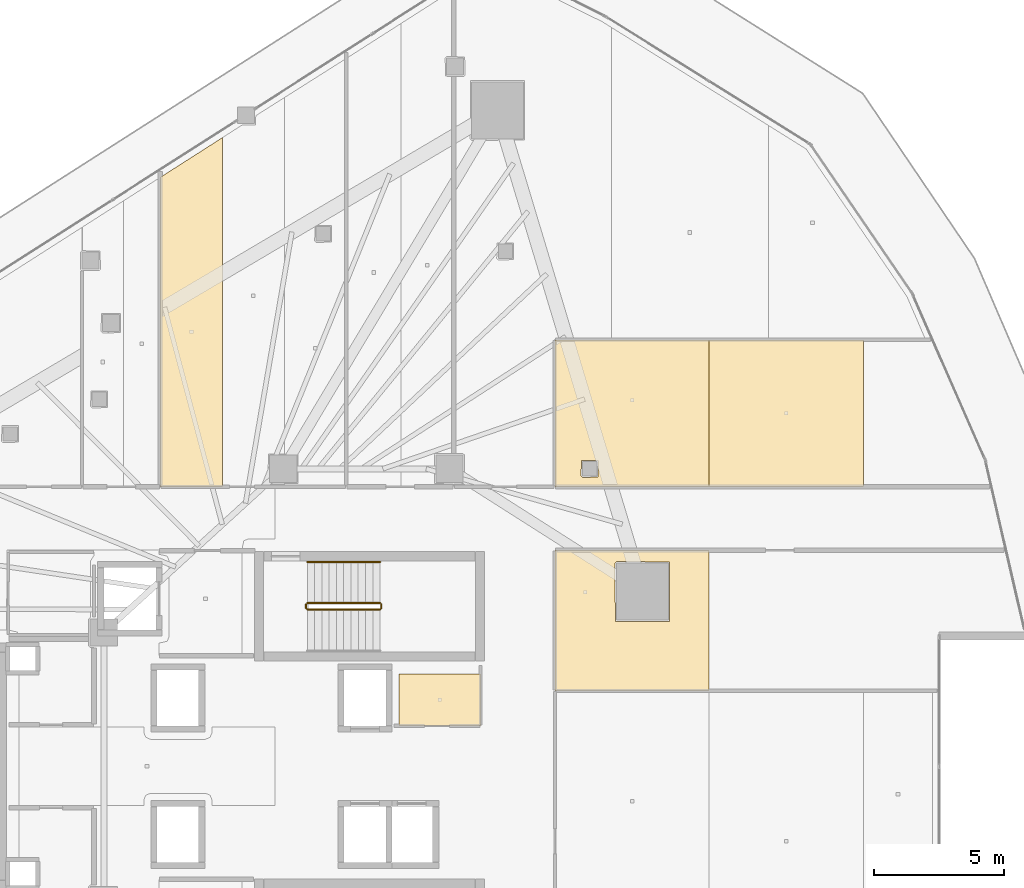
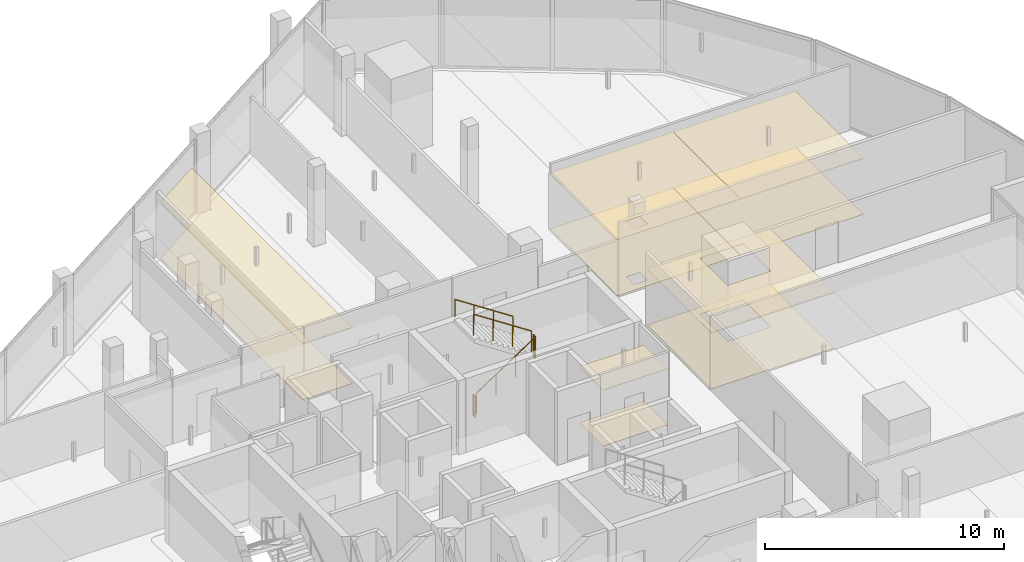
# One storey, part 43 of 44: 10 coverings, 5 railings.
"""IFC4 building model written with IfcOpenShell, lengths in metres."""

from ifc_helpers import new_model, si_unit, direction, frame, origin, origin_2d, place, context, subcontext, project, spatial, polyline, circle, outline, extrude, material, layer, layer_set, type_object, element, save


model = new_model("IFC4")

# Units and contexts
model_context = context("Model", 3, precision=1e-05, world=origin(), true_north=direction((0.0, 1.0)))
body_context = subcontext(model_context, "Body", "Model", "MODEL_VIEW")
ifc_project = project(units=[si_unit("LENGTHUNIT", "METRE"), si_unit("AREAUNIT", "SQUARE_METRE"), si_unit("VOLUMEUNIT", "CUBIC_METRE"), si_unit("PLANEANGLEUNIT", "RADIAN"), si_unit("MASSUNIT", "GRAM", prefix="KILO")], contexts=[model_context])

# Site, building, storey
site_placement = place(None, origin())
site = spatial("IfcSite", under=ifc_project, at=site_placement, CompositionType="ELEMENT")
building_placement = place(site_placement, origin())
building = spatial("IfcBuilding", under=site, at=building_placement, Name="Qorvath Tower", CompositionType="ELEMENT")
storey_placement = place(building_placement, frame((0.0, 0.0, 113.85009765625)))
storey = spatial("IfcBuildingStorey", under=building, at=storey_placement, Name="L25", CompositionType="ELEMENT", Elevation=113.85009765625)

# Coverings
ifc_material_1 = material(Name="Acoustic mineral fibre ceiling tile", Category="gypsum")
ifc_layer_1 = layer(ifc_material_1, 0.030029296875)
ifc_layer_set_1 = layer_set([ifc_layer_1], Name="COV-CEIL")
covering_type_1 = type_object("IfcCoveringType", Name="COV-CEIL", PredefinedType="CEILING", material=ifc_layer_set_1)
covering_1_placement = place(storey_placement, frame((0.0, 0.0, 2.849853515625)))
element("IfcCovering", 1, at=covering_1_placement, inside=storey, type_object=covering_type_1, Name="L25 Suspended Acoustic Ceiling 003", PredefinedType="CEILING", context=body_context, shape_type="SweptSolid", body=[
    extrude(outline(polyline([(-16.0048828125, 3.56005859375), (-19.139892578125, 3.56005859375), (-19.139892578125, 1.56494140625), (-16.0048828125, 1.56494140625), (-16.0048828125, 3.56005859375)])), origin(), (0.0, 0.0, 1.0), 0.030029296875),
])
covering_2_placement = place(storey_placement, frame((0.0, 0.0, 2.849853515625)))
element("IfcCovering", 2, at=covering_2_placement, inside=storey, type_object=covering_type_1, Name="L25 Suspended Acoustic Ceiling 015", PredefinedType="CEILING", context=body_context, shape_type="SweptSolid", body=[
    extrude(outline(polyline([(-25.9365234375, 10.762939453125), (-25.9365234375, 24.19677734375), (-28.318359375, 22.674560546875), (-28.318359375, 10.762939453125), (-25.9365234375, 10.762939453125)])), origin(), (0.0, 0.0, 1.0), 0.030029296875),
])
covering_3_placement = place(storey_placement, frame((0.0, 0.0, 2.849853515625)))
element("IfcCovering", 3, at=covering_3_placement, inside=storey, type_object=covering_type_1, Name="L25 Suspended Acoustic Ceiling 040", PredefinedType="CEILING", context=body_context, shape_type="SweptSolid", body=[
    extrude(outline(polyline([(-7.20166015625, 10.762939453125), (-7.20166015625, 16.404541015625), (-13.136962890625, 16.402099609375), (-13.136962890625, 10.762939453125), (-7.20166015625, 10.762939453125)]), holes=[polyline([(-12.135009765625, 11.175048828125), (-12.117431640625, 11.767333984375), (-11.482666015625, 11.767333984375), (-11.482666015625, 11.132568359375), (-12.074951171875, 11.114990234375), (-12.135009765625, 11.175048828125)])]), origin(), (0.0, 0.0, 1.0), 0.030029296875),
])
covering_4_placement = place(storey_placement, frame((0.0, 0.0, 2.849853515625)))
element("IfcCovering", 4, at=covering_4_placement, inside=storey, type_object=covering_type_1, Name="L25 Suspended Acoustic Ceiling 041", PredefinedType="CEILING", context=body_context, shape_type="SweptSolid", body=[
    extrude(outline(polyline([(-7.20166015625, 2.916259765625), (-7.20166015625, 8.30908203125), (-13.136962890625, 8.306884765625), (-13.136962890625, 2.916259765625), (-7.20166015625, 2.916259765625)]), holes=[polyline([(-10.830322265625, 7.8212890625), (-10.770263671875, 7.88134765625), (-8.727783203125, 7.86376953125), (-8.727783203125, 5.578857421875), (-10.812744140625, 5.578857421875), (-10.830322265625, 7.8212890625)])]), origin(), (0.0, 0.0, 1.0), 0.030029296875),
])
covering_5_placement = place(storey_placement, frame((0.0, 0.0, 2.849853515625)))
element("IfcCovering", 5, at=covering_5_placement, inside=storey, type_object=covering_type_1, Name="L25 Suspended Acoustic Ceiling 042", PredefinedType="CEILING", context=body_context, shape_type="SweptSolid", body=[
    extrude(outline(polyline([(-1.266357421875, 10.762939453125), (-1.266357421875, 16.406982421875), (-7.20166015625, 16.404541015625), (-7.20166015625, 10.762939453125), (-1.266357421875, 10.762939453125)])), origin(), (0.0, 0.0, 1.0), 0.030029296875),
])
ifc_material_2 = material(Name="Low-VOC modular carpet tile", Category="textile")
ifc_layer_2 = layer(ifc_material_2, 0.014892578125)
ifc_layer_set_2 = layer_set([ifc_layer_2], Name="COV-FLOOR-CPT")
covering_type_2 = type_object("IfcCoveringType", Name="COV-FLOOR-CPT", PredefinedType="FLOORING", material=ifc_layer_set_2)
covering_6_placement = place(storey_placement, origin())
element("IfcCovering", 6, at=covering_6_placement, inside=storey, type_object=covering_type_2, Name="L25 Floor Finish 003", PredefinedType="FLOORING", context=body_context, shape_type="SweptSolid", body=[
    extrude(outline(polyline([(-16.0048828125, 3.56005859375), (-19.139892578125, 3.56005859375), (-19.139892578125, 1.56494140625), (-16.0048828125, 1.56494140625), (-16.0048828125, 3.56005859375)])), origin(), (0.0, 0.0, 1.0), 0.014892578125),
])
covering_7_placement = place(storey_placement, origin())
element("IfcCovering", 7, at=covering_7_placement, inside=storey, type_object=covering_type_2, Name="L25 Floor Finish 015", PredefinedType="FLOORING", context=body_context, shape_type="SweptSolid", body=[
    extrude(outline(polyline([(-25.9365234375, 10.762939453125), (-25.9365234375, 24.19677734375), (-28.318359375, 22.674560546875), (-28.318359375, 10.762939453125), (-25.9365234375, 10.762939453125)])), origin(), (0.0, 0.0, 1.0), 0.014892578125),
])
covering_8_placement = place(storey_placement, origin())
element("IfcCovering", 8, at=covering_8_placement, inside=storey, type_object=covering_type_2, Name="L25 Floor Finish 040", PredefinedType="FLOORING", context=body_context, shape_type="SweptSolid", body=[
    extrude(outline(polyline([(-7.20166015625, 10.762939453125), (-7.20166015625, 16.404541015625), (-13.136962890625, 16.402099609375), (-13.136962890625, 10.762939453125), (-7.20166015625, 10.762939453125)]), holes=[polyline([(-12.135009765625, 11.175048828125), (-12.117431640625, 11.767333984375), (-11.482666015625, 11.767333984375), (-11.482666015625, 11.132568359375), (-12.074951171875, 11.114990234375), (-12.135009765625, 11.175048828125)])]), origin(), (0.0, 0.0, 1.0), 0.014892578125),
])
covering_9_placement = place(storey_placement, origin())
element("IfcCovering", 9, at=covering_9_placement, inside=storey, type_object=covering_type_2, Name="L25 Floor Finish 041", PredefinedType="FLOORING", context=body_context, shape_type="SweptSolid", body=[
    extrude(outline(polyline([(-7.20166015625, 2.916259765625), (-7.20166015625, 8.30908203125), (-13.136962890625, 8.306884765625), (-13.136962890625, 2.916259765625), (-7.20166015625, 2.916259765625)]), holes=[polyline([(-10.830322265625, 7.8212890625), (-10.770263671875, 7.88134765625), (-8.727783203125, 7.86376953125), (-8.727783203125, 5.578857421875), (-10.812744140625, 5.578857421875), (-10.830322265625, 7.8212890625)])]), origin(), (0.0, 0.0, 1.0), 0.014892578125),
])
covering_10_placement = place(storey_placement, origin())
element("IfcCovering", 10, at=covering_10_placement, inside=storey, type_object=covering_type_2, Name="L25 Floor Finish 042", PredefinedType="FLOORING", context=body_context, shape_type="SweptSolid", body=[
    extrude(outline(polyline([(-1.266357421875, 10.762939453125), (-1.266357421875, 16.406982421875), (-7.20166015625, 16.404541015625), (-7.20166015625, 10.762939453125), (-1.266357421875, 10.762939453125)])), origin(), (0.0, 0.0, 1.0), 0.014892578125),
])

# Railings
ifc_material_3 = material(Name="Painted galvanised steel", Category="steel")
railing_type_1 = type_object("IfcRailingType", Name="RL-STR-GRD", PredefinedType="GUARDRAIL", material=ifc_material_3)
railing_1_placement = place(storey_placement, frame((-22.669921875, 6.030029296875, 0.18408203125)))
element("IfcRailing", 11, at=railing_1_placement, inside=storey, type_object=railing_type_1, Name="L25 TS1 stair guard 1", PredefinedType="GUARDRAIL", context=body_context, shape_type="SweptSolid", body=[
    extrude(circle(Radius=0.02392578125, at=origin_2d()), frame((0.0, 0.0, 1.076171875), z_axis=(0.835575518608, 0.0, 0.549375602573), x_axis=(0.0, 1.0, 0.0)), (0.0, 0.0, 1.0), 3.350830078125),
    extrude(circle(Radius=0.02099609375, at=origin_2d()), origin(), (0.0, 0.0, 1.0), 1.052001953125),
    extrude(circle(Radius=0.02099609375, at=origin_2d()), frame((0.933349609375, 0.0, 0.613525390625)), (0.0, 0.0, 1.0), 1.052001953125),
    extrude(circle(Radius=0.02099609375, at=origin_2d()), frame((1.866455078125, 0.0, 1.227294921875)), (0.0, 0.0, 1.0), 1.052001953125),
    extrude(circle(Radius=0.02099609375, at=origin_2d()), frame((2.7998046875, 0.0, 1.8408203125)), (0.0, 0.0, 1.0), 1.052001953125),
])
railing_2_placement = place(storey_placement, frame((-19.820068359375, 6.080078125, 2.02490234375)))
element("IfcRailing", 12, at=railing_2_placement, inside=storey, type_object=railing_type_1, Name="L25 TS1 stair guard 2", PredefinedType="GUARDRAIL", context=body_context, shape_type="SweptSolid", body=[
    extrude(circle(Radius=0.02392578125, at=origin_2d()), frame((0.0, 0.0, 1.076171875), z_axis=(0.0, 1.0, 0.0), x_axis=(-1.0, 0.0, 0.0)), (0.0, 0.0, 1.0), 0.14990234375),
    extrude(circle(Radius=0.02099609375, at=origin_2d()), origin(), (0.0, 0.0, 1.0), 1.052001953125),
    extrude(circle(Radius=0.02099609375, at=origin_2d()), frame((0.0, 0.14990234375, 0.0)), (0.0, 0.0, 1.0), 1.052001953125),
])
railing_3_placement = place(storey_placement, frame((-19.8701171875, 6.280029296875, 2.208984375)))
element("IfcRailing", 13, at=railing_3_placement, inside=storey, type_object=railing_type_1, Name="L25 TS1 stair guard 3", PredefinedType="GUARDRAIL", context=body_context, shape_type="SweptSolid", body=[
    extrude(circle(Radius=0.02392578125, at=origin_2d()), frame((0.0, 0.0, 1.076171875), z_axis=(-0.835575518608, 0.0, 0.549375602573), x_axis=(0.0, -1.0, 0.0)), (0.0, 0.0, 1.0), 3.350830078125),
    extrude(circle(Radius=0.02099609375, at=origin_2d()), origin(), (0.0, 0.0, 1.0), 1.052001953125),
    extrude(circle(Radius=0.02099609375, at=origin_2d()), frame((-0.933349609375, 0.0, 0.613525390625)), (0.0, 0.0, 1.0), 1.052001953125),
    extrude(circle(Radius=0.02099609375, at=origin_2d()), frame((-1.866455078125, 0.0, 1.227294921875)), (0.0, 0.0, 1.0), 1.052001953125),
    extrude(circle(Radius=0.02099609375, at=origin_2d()), frame((-2.7998046875, 0.0, 1.8408203125)), (0.0, 0.0, 1.0), 1.052001953125),
])
railing_4_placement = place(storey_placement, frame((-22.719970703125, 6.080078125, 0.0)))
element("IfcRailing", 14, at=railing_4_placement, inside=storey, type_object=railing_type_1, Name="L25 TS1 stair guard 4", PredefinedType="GUARDRAIL", context=body_context, shape_type="SweptSolid", body=[
    extrude(circle(Radius=0.02392578125, at=origin_2d()), frame((0.0, 0.0, 1.076171875), z_axis=(0.0, 1.0, 0.0), x_axis=(-1.0, 0.0, 0.0)), (0.0, 0.0, 1.0), 0.14990234375),
    extrude(circle(Radius=0.02099609375, at=origin_2d()), origin(), (0.0, 0.0, 1.0), 1.052001953125),
    extrude(circle(Radius=0.02099609375, at=origin_2d()), frame((0.0, 0.14990234375, 0.0)), (0.0, 0.0, 1.0), 1.052001953125),
])
ifc_material_4 = material(Name="Brushed stainless steel AISI 304", Category="steel")
railing_type_2 = type_object("IfcRailingType", Name="RL-STR-HND", PredefinedType="HANDRAIL", material=ifc_material_4)
railing_5_placement = place(storey_placement, frame((-19.8701171875, 7.860107421875, 2.208984375)))
element("IfcRailing", 15, at=railing_5_placement, inside=storey, type_object=railing_type_2, Name="L25 TS1 stair handrail 2", PredefinedType="HANDRAIL", context=body_context, shape_type="SweptSolid", body=[
    extrude(circle(Radius=0.02392578125, at=origin_2d()), frame((0.0, 0.0, 0.8759765625), z_axis=(-0.835575518608, 0.0, 0.549375602573), x_axis=(0.0, -1.0, 0.0)), (0.0, 0.0, 1.0), 3.350830078125),
    extrude(circle(Radius=0.02099609375, at=origin_2d()), origin(), (0.0, 0.0, 1.0), 0.851806640625),
    extrude(circle(Radius=0.02099609375, at=origin_2d()), frame((-0.933349609375, 0.0, 0.613525390625)), (0.0, 0.0, 1.0), 0.851806640625),
    extrude(circle(Radius=0.02099609375, at=origin_2d()), frame((-1.866455078125, 0.0, 1.227294921875)), (0.0, 0.0, 1.0), 0.851806640625),
    extrude(circle(Radius=0.02099609375, at=origin_2d()), frame((-2.7998046875, 0.0, 1.8408203125)), (0.0, 0.0, 1.0), 0.851806640625),
])

save(model, "model.ifc")
